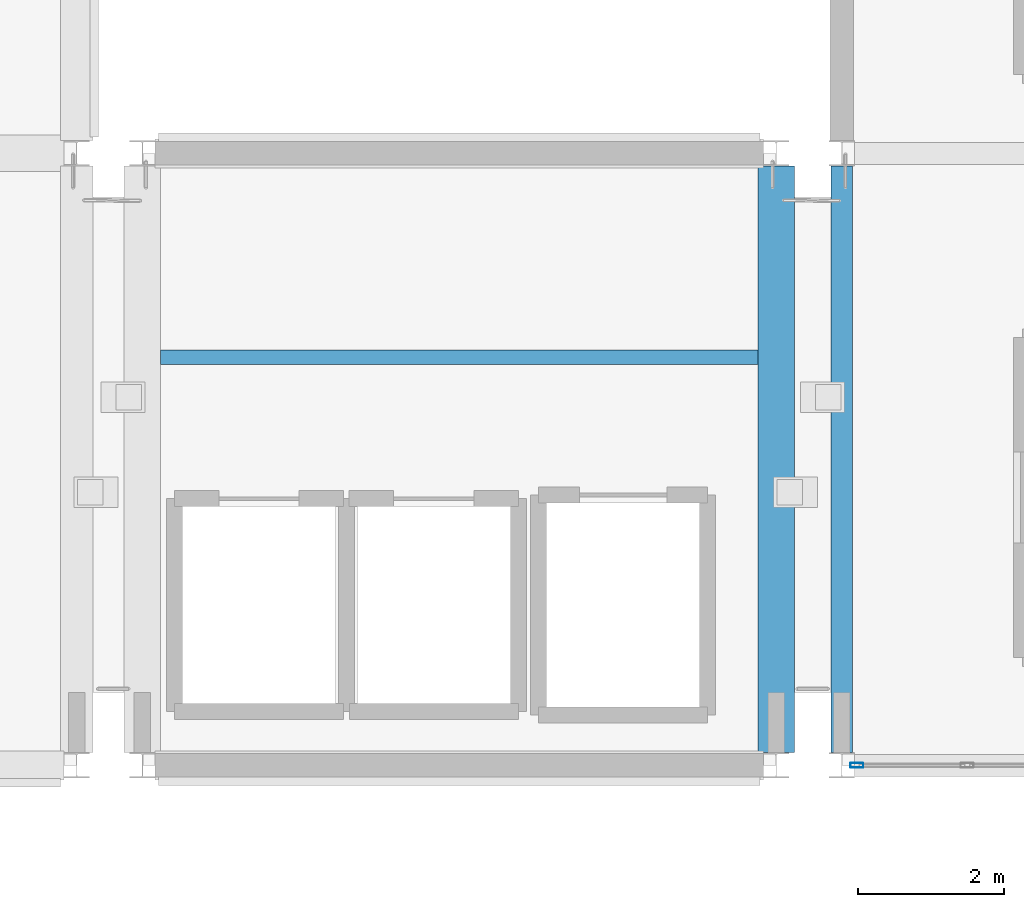
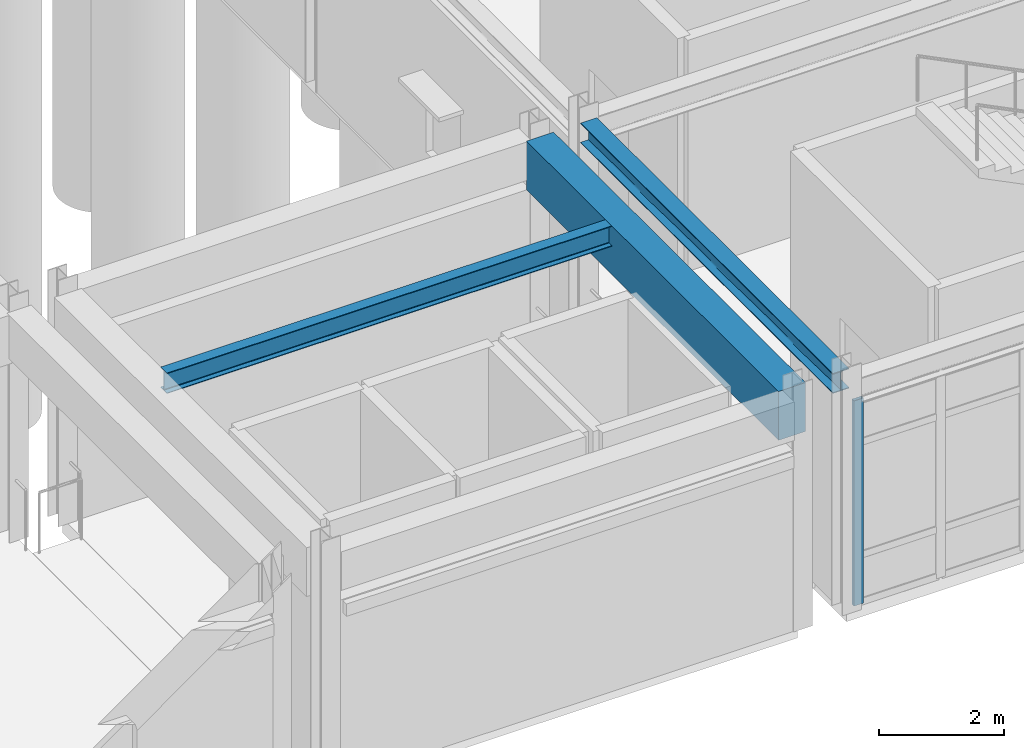
# One storey, part 22 of 139: 3 beams, 1 member, 1 element without a shape of its own.
"""IFC4 building model written with IfcOpenShell, lengths in metres."""

from ifc_helpers import new_model, si_unit, direction, frame, origin, origin_2d, place, context, subcontext, project, spatial, rectangle, hollow_rectangle, i_section, extrude, material, material_profile, profile_set, type_object, element, aggregate, save


model = new_model("IFC4")

# Units and contexts
model_context = context("Model", 3, precision=1e-05, world=origin(), true_north=direction((0.0, 1.0)))
body_context = subcontext(model_context, "Body", "Model", "MODEL_VIEW")
ifc_project = project(units=[si_unit("LENGTHUNIT", "METRE"), si_unit("AREAUNIT", "SQUARE_METRE"), si_unit("VOLUMEUNIT", "CUBIC_METRE"), si_unit("PLANEANGLEUNIT", "RADIAN"), si_unit("MASSUNIT", "GRAM", prefix="KILO")], contexts=[model_context])

# Site, building, storey
site_placement = place(None, origin())
site = spatial("IfcSite", under=ifc_project, at=site_placement, CompositionType="ELEMENT")
building_placement = place(site_placement, origin())
building = spatial("IfcBuilding", under=site, at=building_placement, Name="Canglan Escarpment Cableway Terminal", CompositionType="ELEMENT")
storey_placement = place(building_placement, frame((0.0, 0.0, 14.39990234375)))
storey = spatial("IfcBuildingStorey", under=building, at=storey_placement, Name="L03", CompositionType="ELEMENT", Elevation=14.39990234375)

# Beams
ifc_material_1 = material(Name="Steel Q355B", Category="steel")
ifc_material_profile_1 = material_profile(ifc_material_1, i_section(OverallWidth=0.300048828125, OverallDepth=0.389892578125, WebThickness=0.010009765625, FlangeThickness=0.01611328125, FilletRadius=0.02197265625, at=origin_2d()), Name="HM 390x300x10x16")
ifc_profile_set_1 = profile_set([ifc_material_profile_1], Name="Steel Q355B")
beam_type_1 = type_object("IfcBeamType", Name="BM-ARCH-TOP-HM390", PredefinedType="BEAM", material=ifc_profile_set_1)
beam_1_placement = place(storey_placement, frame((147.199951171875, 8.175048828125, 4.30517578125), z_axis=(0.0, 1.0, 0.0), x_axis=(-1.0, 0.0, 0.0)))
element("IfcBeam", 1, at=beam_1_placement, inside=storey, type_object=beam_type_1, Name="Primary transverse girder AR-TC1", PredefinedType="BEAM", context=body_context, shape_type="SweptSolid", body=[
    extrude(i_section(OverallWidth=0.300048828125, OverallDepth=0.389892578125, WebThickness=0.010009765625, FlangeThickness=0.01611328125, FilletRadius=0.02197265625, at=origin_2d()), origin(), (0.0, 0.0, 1.0), 8.050048828125),
])
ifc_material_2 = material(Name="Concrete C50", Category="concrete")
ifc_material_profile_2 = material_profile(ifc_material_2, rectangle(XDim=0.5, YDim=0.949951171875, at=origin_2d()), Name="RC 500x950")
ifc_profile_set_2 = profile_set([ifc_material_profile_2], Name="Concrete C50")
beam_type_2 = type_object("IfcBeamType", Name="BM-RC500x950", PredefinedType="BEAM", material=ifc_profile_set_2)
beam_2_placement = place(storey_placement, frame((146.300048828125, 8.175048828125, 4.025146484375), z_axis=(0.0, 1.0, 0.0), x_axis=(-1.0, 0.0, 0.0)))
element("IfcBeam", 2, at=beam_2_placement, inside=storey, type_object=beam_type_2, Name="Primary transverse girder B-01", PredefinedType="BEAM", context=body_context, shape_type="SweptSolid", body=[
    extrude(rectangle(XDim=0.5, YDim=0.949951171875, at=origin_2d()), origin(), (0.0, 0.0, 1.0), 8.050048828125),
])

# Curtain wall, member
ifc_material_3 = material(Name="Anodized bronze aluminium and Low-E double glazing", Category="aluminium")
curtain_wall_type = type_object("IfcCurtainWallType", Name="CW-BAY-9275x4000", PredefinedType="NOTDEFINED", material=ifc_material_3)
curtain_wall_placement = place(storey_placement, origin())
curtain_wall = element("IfcCurtainWall", 3, at=curtain_wall_placement, inside=storey, type_object=curtain_wall_type, Name="Classical bay-between-piers glazed curtain wall CW-29", PredefinedType="NOTDEFINED")
ifc_material_4 = material(Name="Thermally broken anodized aluminium 6063-T6", Category="aluminium")
ifc_material_profile_3 = material_profile(ifc_material_4, hollow_rectangle(XDim=0.06494140625, YDim=0.179931640625, WallThickness=0.00390625, InnerFilletRadius=0.00390625, OuterFilletRadius=0.008056640625, at=origin_2d()), Name="ALU-MULL 65x180x4")
ifc_profile_set_3 = profile_set([ifc_material_profile_3], Name="Thermally broken anodized aluminium 6063-T6")
member_type = type_object("IfcMemberType", Name="CWM-03", PredefinedType="MULLION", material=ifc_profile_set_3)
member_placement = place(storey_placement, frame((147.407470703125, 8.0, 0.0), z_axis=(0.0, 0.0, 1.0), x_axis=(0.0, 1.0, 0.0)))
member = element("IfcMember", 4, at=member_placement, type_object=member_type, Name="CW-29 mullion 1", PredefinedType="MULLION", context=body_context, shape_type="SweptSolid", body=[
    extrude(hollow_rectangle(XDim=0.06494140625, YDim=0.179931640625, WallThickness=0.00390625, InnerFilletRadius=0.00390625, OuterFilletRadius=0.008056640625, at=origin_2d()), origin(), (0.0, 0.0, 1.0), 3.9970703125),
])
aggregate(curtain_wall, [member])

# Beam
ifc_material_profile_4 = material_profile(ifc_material_1, i_section(OverallWidth=0.199951171875, OverallDepth=0.39990234375, WebThickness=0.008056640625, FlangeThickness=0.012939453125, FilletRadius=0.01611328125, at=origin_2d()), Name="HN 400x200x8x13")
ifc_profile_set_4 = profile_set([ifc_material_profile_4], Name="Steel Q355B")
beam_type_3 = type_object("IfcBeamType", Name="JS-HN400", PredefinedType="JOIST", material=ifc_profile_set_4)
beam_3_placement = place(storey_placement, frame((137.85009765625, 13.60009765625, 4.300048828125), z_axis=(1.0, 0.0, 0.0), x_axis=(0.0, 1.0, 0.0)))
element("IfcBeam", 5, at=beam_3_placement, inside=storey, type_object=beam_type_3, Name="Secondary composite deck joist J-03", PredefinedType="JOIST", context=body_context, shape_type="SweptSolid", body=[
    extrude(i_section(OverallWidth=0.199951171875, OverallDepth=0.39990234375, WebThickness=0.008056640625, FlangeThickness=0.012939453125, FilletRadius=0.01611328125, at=origin_2d()), origin(), (0.0, 0.0, 1.0), 8.199951171875),
])

save(model, "model.ifc")
